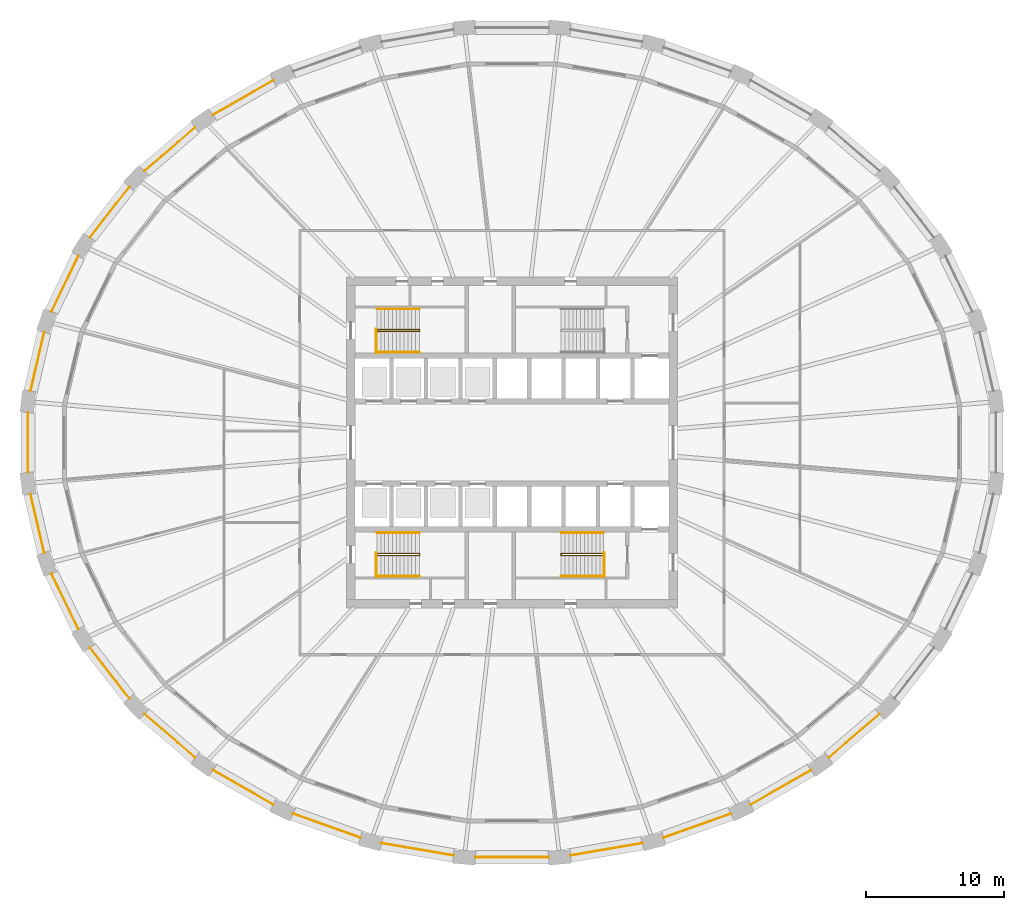
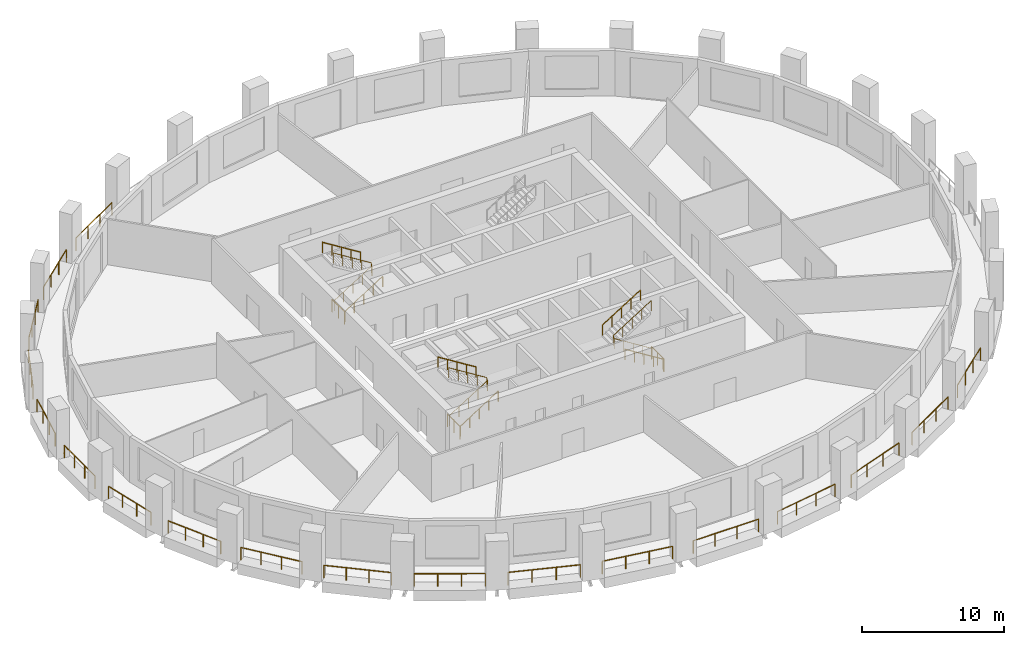
# One storey, part 8 of 10: 30 railings.
"""IFC4 building model written with IfcOpenShell, lengths in metres."""

from ifc_helpers import new_model, si_unit, direction, frame, origin, origin_2d, place, context, subcontext, project, spatial, circle, extrude, material, type_object, element, save


model = new_model("IFC4")

# Units and contexts
model_context = context("Model", 3, precision=1e-05, world=origin(), true_north=direction((0.0, 1.0)))
body_context = subcontext(model_context, "Body", "Model", "MODEL_VIEW")
ifc_project = project(units=[si_unit("LENGTHUNIT", "METRE"), si_unit("AREAUNIT", "SQUARE_METRE"), si_unit("VOLUMEUNIT", "CUBIC_METRE"), si_unit("PLANEANGLEUNIT", "RADIAN"), si_unit("MASSUNIT", "GRAM", prefix="KILO")], contexts=[model_context])

# Site, building, storey
site_placement = place(None, origin())
site = spatial("IfcSite", under=ifc_project, at=site_placement, CompositionType="ELEMENT")
building_placement = place(site_placement, origin())
building = spatial("IfcBuilding", under=site, at=building_placement, Name="Halqa Exchange Tower", CompositionType="ELEMENT")
storey_placement = place(building_placement, frame((0.0, 0.0, 104.5)))
storey = spatial("IfcBuildingStorey", under=building, at=storey_placement, Name="L23", CompositionType="ELEMENT", Elevation=104.5)

# Railings
ifc_material = material(Name="Stainless steel", Category="steel")
railing_type_1 = type_object("IfcRailingType", Name="Guard 1100 stainless steel", PredefinedType="GUARDRAIL", material=ifc_material)
railing_1_placement = place(storey_placement, frame((-17.32958984375, 26.27880859375, 0.0)))
element("IfcRailing", 1, at=railing_1_placement, inside=storey, type_object=railing_type_1, Name="Loggia guard 11", PredefinedType="GUARDRAIL", context=body_context, shape_type="SweptSolid", body=[
    extrude(circle(Radius=0.02392578125, at=origin_2d()), frame((0.0, 0.0, 1.076171875), z_axis=(-0.867764691491, -0.496975291339, 0.0), x_axis=(0.496975291339, -0.867764691491, 0.0)), (0.0, 0.0, 1.0), 5.028564453125),
    extrude(circle(Radius=0.02099609375, at=origin_2d()), origin(), (0.0, 0.0, 1.0), 1.052001953125),
    extrude(circle(Radius=0.02099609375, at=origin_2d()), frame((-1.45458984375, -0.8330078125, 0.0)), (0.0, 0.0, 1.0), 1.052001953125),
    extrude(circle(Radius=0.02099609375, at=origin_2d()), frame((-2.908935546875, -1.666015625, 0.0)), (0.0, 0.0, 1.0), 1.052001953125),
    extrude(circle(Radius=0.02099609375, at=origin_2d()), frame((-4.363525390625, -2.4990234375, 0.0)), (0.0, 0.0, 1.0), 1.052001953125),
])
railing_2_placement = place(storey_placement, frame((-22.994873046875, 22.861572265625, 0.0)))
element("IfcRailing", 2, at=railing_2_placement, inside=storey, type_object=railing_type_1, Name="Loggia guard 12", PredefinedType="GUARDRAIL", context=body_context, shape_type="SweptSolid", body=[
    extrude(circle(Radius=0.02392578125, at=origin_2d()), frame((0.0, 0.0, 1.076171875), z_axis=(-0.759242368447, -0.650807979327, 0.0), x_axis=(0.650807979327, -0.759242368447, 0.0)), (0.0, 0.0, 1.0), 4.843017578125),
    extrude(circle(Radius=0.02099609375, at=origin_2d()), origin(), (0.0, 0.0, 1.0), 1.052001953125),
    extrude(circle(Radius=0.02099609375, at=origin_2d()), frame((-1.2255859375, -1.050537109375, 0.0)), (0.0, 0.0, 1.0), 1.052001953125),
    extrude(circle(Radius=0.02099609375, at=origin_2d()), frame((-2.451416015625, -2.101318359375, 0.0)), (0.0, 0.0, 1.0), 1.052001953125),
    extrude(circle(Radius=0.02099609375, at=origin_2d()), frame((-3.677001953125, -3.15185546875, 0.0)), (0.0, 0.0, 1.0), 1.052001953125),
])
railing_3_placement = place(storey_placement, frame((-27.77099609375, 18.558349609375, 0.0)))
element("IfcRailing", 3, at=railing_3_placement, inside=storey, type_object=railing_type_1, Name="Loggia guard 13", PredefinedType="GUARDRAIL", context=body_context, shape_type="SweptSolid", body=[
    extrude(circle(Radius=0.02392578125, at=origin_2d()), frame((0.0, 0.0, 1.076171875), z_axis=(-0.614826844316, -0.788662127599, 0.0), x_axis=(0.788662127599, -0.614826844316, 0.0)), (0.0, 0.0, 1.0), 4.651611328125),
    extrude(circle(Radius=0.02099609375, at=origin_2d()), origin(), (0.0, 0.0, 1.0), 1.052001953125),
    extrude(circle(Radius=0.02099609375, at=origin_2d()), frame((-0.953369140625, -1.222900390625, 0.0)), (0.0, 0.0, 1.0), 1.052001953125),
    extrude(circle(Radius=0.02099609375, at=origin_2d()), frame((-1.906494140625, -2.445556640625, 0.0)), (0.0, 0.0, 1.0), 1.052001953125),
    extrude(circle(Radius=0.02099609375, at=origin_2d()), frame((-2.85986328125, -3.66845703125, 0.0)), (0.0, 0.0, 1.0), 1.052001953125),
])
railing_4_placement = place(storey_placement, frame((-31.470703125, 13.53857421875, 0.0)))
element("IfcRailing", 4, at=railing_4_placement, inside=storey, type_object=railing_type_1, Name="Loggia guard 14", PredefinedType="GUARDRAIL", context=body_context, shape_type="SweptSolid", body=[
    extrude(circle(Radius=0.02392578125, at=origin_2d()), frame((0.0, 0.0, 1.076171875), z_axis=(-0.435108344434, -0.900378103134, 0.0), x_axis=(0.900378103134, -0.435108344434, 0.0)), (0.0, 0.0, 1.0), 4.484375),
    extrude(circle(Radius=0.02099609375, at=origin_2d()), origin(), (0.0, 0.0, 1.0), 1.052001953125),
    extrude(circle(Radius=0.02099609375, at=origin_2d()), frame((-0.650390625, -1.345947265625, 0.0)), (0.0, 0.0, 1.0), 1.052001953125),
    extrude(circle(Radius=0.02099609375, at=origin_2d()), frame((-1.30078125, -2.691650390625, 0.0)), (0.0, 0.0, 1.0), 1.052001953125),
    extrude(circle(Radius=0.02099609375, at=origin_2d()), frame((-1.951171875, -4.03759765625, 0.0)), (0.0, 0.0, 1.0), 1.052001953125),
])
railing_5_placement = place(storey_placement, frame((-33.95068359375, 8.001220703125, 0.0)))
element("IfcRailing", 5, at=railing_5_placement, inside=storey, type_object=railing_type_1, Name="Loggia guard 15", PredefinedType="GUARDRAIL", context=body_context, shape_type="SweptSolid", body=[
    extrude(circle(Radius=0.02392578125, at=origin_2d()), frame((0.0, 0.0, 1.076171875), z_axis=(-0.226083325103, -0.974107966352, 0.0), x_axis=(0.974107966352, -0.226083325103, 0.0)), (0.0, 0.0, 1.0), 4.3701171875),
    extrude(circle(Radius=0.02099609375, at=origin_2d()), origin(), (0.0, 0.0, 1.0), 1.052001953125),
    extrude(circle(Radius=0.02099609375, at=origin_2d()), frame((-0.329345703125, -1.4189453125, 0.0)), (0.0, 0.0, 1.0), 1.052001953125),
    extrude(circle(Radius=0.02099609375, at=origin_2d()), frame((-0.65869140625, -2.838134765625, 0.0)), (0.0, 0.0, 1.0), 1.052001953125),
    extrude(circle(Radius=0.02099609375, at=origin_2d()), frame((-0.988037109375, -4.257080078125, 0.0)), (0.0, 0.0, 1.0), 1.052001953125),
])
railing_6_placement = place(storey_placement, frame((-35.11962890625, 2.164794921875, 0.0)))
element("IfcRailing", 6, at=railing_6_placement, inside=storey, type_object=railing_type_1, Name="Loggia guard 16", PredefinedType="GUARDRAIL", context=body_context, shape_type="SweptSolid", body=[
    extrude(circle(Radius=0.02392578125, at=origin_2d()), frame((0.0, 0.0, 1.076171875), z_axis=(0.0, -1.0, 0.0), x_axis=(1.0, 0.0, 0.0)), (0.0, 0.0, 1.0), 4.32958984375),
    extrude(circle(Radius=0.02099609375, at=origin_2d()), origin(), (0.0, 0.0, 1.0), 1.052001953125),
    extrude(circle(Radius=0.02099609375, at=origin_2d()), frame((0.0, -1.443115234375, 0.0)), (0.0, 0.0, 1.0), 1.052001953125),
    extrude(circle(Radius=0.02099609375, at=origin_2d()), frame((0.0, -2.886474609375, 0.0)), (0.0, 0.0, 1.0), 1.052001953125),
    extrude(circle(Radius=0.02099609375, at=origin_2d()), frame((0.0, -4.32958984375, 0.0)), (0.0, 0.0, 1.0), 1.052001953125),
])
railing_7_placement = place(storey_placement, frame((-34.938720703125, -3.744140625, 0.0)))
element("IfcRailing", 7, at=railing_7_placement, inside=storey, type_object=railing_type_1, Name="Loggia guard 17", PredefinedType="GUARDRAIL", context=body_context, shape_type="SweptSolid", body=[
    extrude(circle(Radius=0.02392578125, at=origin_2d()), frame((0.0, 0.0, 1.076171875), z_axis=(0.226083325103, -0.974107966352, 0.0), x_axis=(0.974107966352, 0.226083325103, 0.0)), (0.0, 0.0, 1.0), 4.3701171875),
    extrude(circle(Radius=0.02099609375, at=origin_2d()), origin(), (0.0, 0.0, 1.0), 1.052001953125),
    extrude(circle(Radius=0.02099609375, at=origin_2d()), frame((0.329345703125, -1.4189453125, 0.0)), (0.0, 0.0, 1.0), 1.052001953125),
    extrude(circle(Radius=0.02099609375, at=origin_2d()), frame((0.65869140625, -2.838134765625, 0.0)), (0.0, 0.0, 1.0), 1.052001953125),
    extrude(circle(Radius=0.02099609375, at=origin_2d()), frame((0.988037109375, -4.257080078125, 0.0)), (0.0, 0.0, 1.0), 1.052001953125),
])
railing_8_placement = place(storey_placement, frame((-33.421875, -9.5009765625, 0.0)))
element("IfcRailing", 8, at=railing_8_placement, inside=storey, type_object=railing_type_1, Name="Loggia guard 18", PredefinedType="GUARDRAIL", context=body_context, shape_type="SweptSolid", body=[
    extrude(circle(Radius=0.02392578125, at=origin_2d()), frame((0.0, 0.0, 1.076171875), z_axis=(0.435108344434, -0.900378103134, 0.0), x_axis=(0.900378103134, 0.435108344434, 0.0)), (0.0, 0.0, 1.0), 4.484375),
    extrude(circle(Radius=0.02099609375, at=origin_2d()), origin(), (0.0, 0.0, 1.0), 1.052001953125),
    extrude(circle(Radius=0.02099609375, at=origin_2d()), frame((0.650390625, -1.345947265625, 0.0)), (0.0, 0.0, 1.0), 1.052001953125),
    extrude(circle(Radius=0.02099609375, at=origin_2d()), frame((1.30078125, -2.691650390625, 0.0)), (0.0, 0.0, 1.0), 1.052001953125),
    extrude(circle(Radius=0.02099609375, at=origin_2d()), frame((1.951171875, -4.03759765625, 0.0)), (0.0, 0.0, 1.0), 1.052001953125),
])
railing_9_placement = place(storey_placement, frame((-30.630859375, -14.889892578125, 0.0)))
element("IfcRailing", 9, at=railing_9_placement, inside=storey, type_object=railing_type_1, Name="Loggia guard 19", PredefinedType="GUARDRAIL", context=body_context, shape_type="SweptSolid", body=[
    extrude(circle(Radius=0.02392578125, at=origin_2d()), frame((0.0, 0.0, 1.076171875), z_axis=(0.614826844316, -0.788662127599, 0.0), x_axis=(0.788662127599, 0.614826844316, 0.0)), (0.0, 0.0, 1.0), 4.651611328125),
    extrude(circle(Radius=0.02099609375, at=origin_2d()), origin(), (0.0, 0.0, 1.0), 1.052001953125),
    extrude(circle(Radius=0.02099609375, at=origin_2d()), frame((0.953369140625, -1.222900390625, 0.0)), (0.0, 0.0, 1.0), 1.052001953125),
    extrude(circle(Radius=0.02099609375, at=origin_2d()), frame((1.906494140625, -2.445556640625, 0.0)), (0.0, 0.0, 1.0), 1.052001953125),
    extrude(circle(Radius=0.02099609375, at=origin_2d()), frame((2.85986328125, -3.66845703125, 0.0)), (0.0, 0.0, 1.0), 1.052001953125),
])
railing_10_placement = place(storey_placement, frame((-26.671875, -19.709716796875, 0.0)))
element("IfcRailing", 10, at=railing_10_placement, inside=storey, type_object=railing_type_1, Name="Loggia guard 20", PredefinedType="GUARDRAIL", context=body_context, shape_type="SweptSolid", body=[
    extrude(circle(Radius=0.02392578125, at=origin_2d()), frame((0.0, 0.0, 1.076171875), z_axis=(0.759242368447, -0.650807979327, 0.0), x_axis=(0.650807979327, 0.759242368447, 0.0)), (0.0, 0.0, 1.0), 4.843017578125),
    extrude(circle(Radius=0.02099609375, at=origin_2d()), origin(), (0.0, 0.0, 1.0), 1.052001953125),
    extrude(circle(Radius=0.02099609375, at=origin_2d()), frame((1.2255859375, -1.050537109375, 0.0)), (0.0, 0.0, 1.0), 1.052001953125),
    extrude(circle(Radius=0.02099609375, at=origin_2d()), frame((2.451416015625, -2.101318359375, 0.0)), (0.0, 0.0, 1.0), 1.052001953125),
    extrude(circle(Radius=0.02099609375, at=origin_2d()), frame((3.677001953125, -3.15185546875, 0.0)), (0.0, 0.0, 1.0), 1.052001953125),
])
railing_11_placement = place(storey_placement, frame((-21.693115234375, -23.77978515625, 0.0)))
element("IfcRailing", 11, at=railing_11_placement, inside=storey, type_object=railing_type_1, Name="Loggia guard 21", PredefinedType="GUARDRAIL", context=body_context, shape_type="SweptSolid", body=[
    extrude(circle(Radius=0.02392578125, at=origin_2d()), frame((0.0, 0.0, 1.076171875), z_axis=(0.867764691491, -0.496975291339, 0.0), x_axis=(0.496975291339, 0.867764691491, 0.0)), (0.0, 0.0, 1.0), 5.028564453125),
    extrude(circle(Radius=0.02099609375, at=origin_2d()), origin(), (0.0, 0.0, 1.0), 1.052001953125),
    extrude(circle(Radius=0.02099609375, at=origin_2d()), frame((1.45458984375, -0.8330078125, 0.0)), (0.0, 0.0, 1.0), 1.052001953125),
    extrude(circle(Radius=0.02099609375, at=origin_2d()), frame((2.908935546875, -1.666015625, 0.0)), (0.0, 0.0, 1.0), 1.052001953125),
    extrude(circle(Radius=0.02099609375, at=origin_2d()), frame((4.363525390625, -2.4990234375, 0.0)), (0.0, 0.0, 1.0), 1.052001953125),
])
railing_12_placement = place(storey_placement, frame((-15.881591796875, -26.944091796875, 0.0)))
element("IfcRailing", 12, at=railing_12_placement, inside=storey, type_object=railing_type_1, Name="Loggia guard 22", PredefinedType="GUARDRAIL", context=body_context, shape_type="SweptSolid", body=[
    extrude(circle(Radius=0.02392578125, at=origin_2d()), frame((0.0, 0.0, 1.076171875), z_axis=(0.942371218472, -0.334569105858, 0.0), x_axis=(0.334569105858, 0.942371218472, 0.0)), (0.0, 0.0, 1.0), 5.182373046875),
    extrude(circle(Radius=0.02099609375, at=origin_2d()), origin(), (0.0, 0.0, 1.0), 1.052001953125),
    extrude(circle(Radius=0.02099609375, at=origin_2d()), frame((1.6279296875, -0.577880859375, 0.0)), (0.0, 0.0, 1.0), 1.052001953125),
    extrude(circle(Radius=0.02099609375, at=origin_2d()), frame((3.255859375, -1.156005859375, 0.0)), (0.0, 0.0, 1.0), 1.052001953125),
    extrude(circle(Radius=0.02099609375, at=origin_2d()), frame((4.8837890625, -1.73388671875, 0.0)), (0.0, 0.0, 1.0), 1.052001953125),
])
railing_13_placement = place(storey_placement, frame((-9.455322265625, -29.080078125, 0.0)))
element("IfcRailing", 13, at=railing_13_placement, inside=storey, type_object=railing_type_1, Name="Loggia guard 23", PredefinedType="GUARDRAIL", context=body_context, shape_type="SweptSolid", body=[
    extrude(circle(Radius=0.02392578125, at=origin_2d()), frame((0.0, 0.0, 1.076171875), z_axis=(0.985773799139, -0.168077413505, 0.0), x_axis=(0.168077413505, 0.985773799139, 0.0)), (0.0, 0.0, 1.0), 5.282958984375),
    extrude(circle(Radius=0.02099609375, at=origin_2d()), origin(), (0.0, 0.0, 1.0), 1.052001953125),
    extrude(circle(Radius=0.02099609375, at=origin_2d()), frame((1.73583984375, -0.2958984375, 0.0)), (0.0, 0.0, 1.0), 1.052001953125),
    extrude(circle(Radius=0.02099609375, at=origin_2d()), frame((3.471923828125, -0.592041015625, 0.0)), (0.0, 0.0, 1.0), 1.052001953125),
    extrude(circle(Radius=0.02099609375, at=origin_2d()), frame((5.207763671875, -0.887939453125, 0.0)), (0.0, 0.0, 1.0), 1.052001953125),
])
railing_14_placement = place(storey_placement, frame((-2.658935546875, -30.102294921875, 0.0)))
element("IfcRailing", 14, at=railing_14_placement, inside=storey, type_object=railing_type_1, Name="Loggia guard 24", PredefinedType="GUARDRAIL", context=body_context, shape_type="SweptSolid", body=[
    extrude(circle(Radius=0.02392578125, at=origin_2d()), frame((0.0, 0.0, 1.076171875), z_axis=(1.0, 0.0, 0.0), x_axis=(0.0, 1.0, 0.0)), (0.0, 0.0, 1.0), 5.31787109375),
    extrude(circle(Radius=0.02099609375, at=origin_2d()), origin(), (0.0, 0.0, 1.0), 1.052001953125),
    extrude(circle(Radius=0.02099609375, at=origin_2d()), frame((1.772705078125, 0.0, 0.0)), (0.0, 0.0, 1.0), 1.052001953125),
    extrude(circle(Radius=0.02099609375, at=origin_2d()), frame((3.545166015625, 0.0, 0.0)), (0.0, 0.0, 1.0), 1.052001953125),
    extrude(circle(Radius=0.02099609375, at=origin_2d()), frame((5.31787109375, 0.0, 0.0)), (0.0, 0.0, 1.0), 1.052001953125),
])
railing_15_placement = place(storey_placement, frame((4.24755859375, -29.968017578125, 0.0)))
element("IfcRailing", 15, at=railing_15_placement, inside=storey, type_object=railing_type_1, Name="Loggia guard 25", PredefinedType="GUARDRAIL", context=body_context, shape_type="SweptSolid", body=[
    extrude(circle(Radius=0.02392578125, at=origin_2d()), frame((0.0, 0.0, 1.076171875), z_axis=(0.985773799139, 0.168077413505, 0.0), x_axis=(-0.168077413505, 0.985773799139, 0.0)), (0.0, 0.0, 1.0), 5.282958984375),
    extrude(circle(Radius=0.02099609375, at=origin_2d()), origin(), (0.0, 0.0, 1.0), 1.052001953125),
    extrude(circle(Radius=0.02099609375, at=origin_2d()), frame((1.73583984375, 0.2958984375, 0.0)), (0.0, 0.0, 1.0), 1.052001953125),
    extrude(circle(Radius=0.02099609375, at=origin_2d()), frame((3.471923828125, 0.592041015625, 0.0)), (0.0, 0.0, 1.0), 1.052001953125),
    extrude(circle(Radius=0.02099609375, at=origin_2d()), frame((5.207763671875, 0.887939453125, 0.0)), (0.0, 0.0, 1.0), 1.052001953125),
])
railing_16_placement = place(storey_placement, frame((10.997802734375, -28.677978515625, 0.0)))
element("IfcRailing", 16, at=railing_16_placement, inside=storey, type_object=railing_type_1, Name="Loggia guard 26", PredefinedType="GUARDRAIL", context=body_context, shape_type="SweptSolid", body=[
    extrude(circle(Radius=0.02392578125, at=origin_2d()), frame((0.0, 0.0, 1.076171875), z_axis=(0.942371218472, 0.334569105858, 0.0), x_axis=(-0.334569105858, 0.942371218472, 0.0)), (0.0, 0.0, 1.0), 5.182373046875),
    extrude(circle(Radius=0.02099609375, at=origin_2d()), origin(), (0.0, 0.0, 1.0), 1.052001953125),
    extrude(circle(Radius=0.02099609375, at=origin_2d()), frame((1.6279296875, 0.577880859375, 0.0)), (0.0, 0.0, 1.0), 1.052001953125),
    extrude(circle(Radius=0.02099609375, at=origin_2d()), frame((3.255859375, 1.156005859375, 0.0)), (0.0, 0.0, 1.0), 1.052001953125),
    extrude(circle(Radius=0.02099609375, at=origin_2d()), frame((4.8837890625, 1.73388671875, 0.0)), (0.0, 0.0, 1.0), 1.052001953125),
])
railing_17_placement = place(storey_placement, frame((17.32958984375, -26.27880859375, 0.0)))
element("IfcRailing", 17, at=railing_17_placement, inside=storey, type_object=railing_type_1, Name="Loggia guard 27", PredefinedType="GUARDRAIL", context=body_context, shape_type="SweptSolid", body=[
    extrude(circle(Radius=0.02392578125, at=origin_2d()), frame((0.0, 0.0, 1.076171875), z_axis=(0.867764691491, 0.496975291339, 0.0), x_axis=(-0.496975291339, 0.867764691491, 0.0)), (0.0, 0.0, 1.0), 5.028564453125),
    extrude(circle(Radius=0.02099609375, at=origin_2d()), origin(), (0.0, 0.0, 1.0), 1.052001953125),
    extrude(circle(Radius=0.02099609375, at=origin_2d()), frame((1.45458984375, 0.8330078125, 0.0)), (0.0, 0.0, 1.0), 1.052001953125),
    extrude(circle(Radius=0.02099609375, at=origin_2d()), frame((2.908935546875, 1.666015625, 0.0)), (0.0, 0.0, 1.0), 1.052001953125),
    extrude(circle(Radius=0.02099609375, at=origin_2d()), frame((4.363525390625, 2.4990234375, 0.0)), (0.0, 0.0, 1.0), 1.052001953125),
])
railing_18_placement = place(storey_placement, frame((22.994873046875, -22.861572265625, 0.0)))
element("IfcRailing", 18, at=railing_18_placement, inside=storey, type_object=railing_type_1, Name="Loggia guard 28", PredefinedType="GUARDRAIL", context=body_context, shape_type="SweptSolid", body=[
    extrude(circle(Radius=0.02392578125, at=origin_2d()), frame((0.0, 0.0, 1.076171875), z_axis=(0.759242368447, 0.650807979327, 0.0), x_axis=(-0.650807979327, 0.759242368447, 0.0)), (0.0, 0.0, 1.0), 4.843017578125),
    extrude(circle(Radius=0.02099609375, at=origin_2d()), origin(), (0.0, 0.0, 1.0), 1.052001953125),
    extrude(circle(Radius=0.02099609375, at=origin_2d()), frame((1.2255859375, 1.050537109375, 0.0)), (0.0, 0.0, 1.0), 1.052001953125),
    extrude(circle(Radius=0.02099609375, at=origin_2d()), frame((2.451416015625, 2.101318359375, 0.0)), (0.0, 0.0, 1.0), 1.052001953125),
    extrude(circle(Radius=0.02099609375, at=origin_2d()), frame((3.677001953125, 3.15185546875, 0.0)), (0.0, 0.0, 1.0), 1.052001953125),
])
railing_type_2 = type_object("IfcRailingType", Name="Stair handrail 900", PredefinedType="HANDRAIL", material=ifc_material)
railing_19_placement = place(storey_placement, frame((-9.800048828125, 8.06005859375, 0.175048828125)))
element("IfcRailing", 19, at=railing_19_placement, inside=storey, type_object=railing_type_2, Name="Handrail ST1.1", PredefinedType="HANDRAIL", context=body_context, shape_type="SweptSolid", body=[
    extrude(circle(Radius=0.02392578125, at=origin_2d()), frame((0.0, 0.0, 0.8759765625), z_axis=(0.847998304005, 0.0, 0.529998940003), x_axis=(0.0, 1.0, 0.0)), (0.0, 0.0, 1.0), 3.632080078125),
    extrude(circle(Radius=0.02392578125, at=origin_2d()), frame((3.080078125, 0.0, 2.80078125), z_axis=(0.0, 0.596406559517, 0.802682512433), x_axis=(-1.0, 0.0, 0.0)), (0.0, 0.0, 1.0), 0.2177734375),
    extrude(circle(Radius=0.02392578125, at=origin_2d()), frame((3.080078125, 0.1298828125, 2.9755859375), z_axis=(-0.847998304005, 0.0, 0.529998940003), x_axis=(0.0, -1.0, 0.0)), (0.0, 0.0, 1.0), 3.632080078125),
    extrude(circle(Radius=0.02099609375, at=origin_2d()), origin(), (0.0, 0.0, 1.0), 0.851806640625),
    extrude(circle(Radius=0.02099609375, at=origin_2d()), frame((0.77001953125, 0.0, 0.481201171875)), (0.0, 0.0, 1.0), 0.851806640625),
    extrude(circle(Radius=0.02099609375, at=origin_2d()), frame((1.5400390625, 0.0, 0.96240234375)), (0.0, 0.0, 1.0), 0.851806640625),
    extrude(circle(Radius=0.02099609375, at=origin_2d()), frame((2.31005859375, 0.0, 1.44384765625)), (0.0, 0.0, 1.0), 0.851806640625),
    extrude(circle(Radius=0.02099609375, at=origin_2d()), frame((3.080078125, 0.0, 1.925048828125)), (0.0, 0.0, 1.0), 0.851806640625),
    extrude(circle(Radius=0.02099609375, at=origin_2d()), frame((3.080078125, 0.1298828125, 2.099853515625)), (0.0, 0.0, 1.0), 0.851806640625),
    extrude(circle(Radius=0.02099609375, at=origin_2d()), frame((2.31005859375, 0.1298828125, 2.5810546875)), (0.0, 0.0, 1.0), 0.851806640625),
    extrude(circle(Radius=0.02099609375, at=origin_2d()), frame((1.5400390625, 0.1298828125, 3.0625)), (0.0, 0.0, 1.0), 0.851806640625),
    extrude(circle(Radius=0.02099609375, at=origin_2d()), frame((0.77001953125, 0.1298828125, 3.543701171875)), (0.0, 0.0, 1.0), 0.851806640625),
    extrude(circle(Radius=0.02099609375, at=origin_2d()), frame((0.0, 0.1298828125, 4.02490234375)), (0.0, 0.0, 1.0), 0.851806640625),
])
railing_20_placement = place(storey_placement, frame((-9.800048828125, 6.550048828125, 0.175048828125)))
element("IfcRailing", 20, at=railing_20_placement, inside=storey, type_object=railing_type_2, Name="Handrail ST1.2", PredefinedType="HANDRAIL", context=body_context, shape_type="SweptSolid", body=[
    extrude(circle(Radius=0.02392578125, at=origin_2d()), frame((0.0, 0.0, 0.8759765625), z_axis=(0.847998304005, 0.0, 0.529998940003), x_axis=(0.0, 1.0, 0.0)), (0.0, 0.0, 1.0), 3.632080078125),
    extrude(circle(Radius=0.02099609375, at=origin_2d()), origin(), (0.0, 0.0, 1.0), 0.851806640625),
    extrude(circle(Radius=0.02099609375, at=origin_2d()), frame((0.77001953125, 0.0, 0.481201171875)), (0.0, 0.0, 1.0), 0.851806640625),
    extrude(circle(Radius=0.02099609375, at=origin_2d()), frame((1.5400390625, 0.0, 0.96240234375)), (0.0, 0.0, 1.0), 0.851806640625),
    extrude(circle(Radius=0.02099609375, at=origin_2d()), frame((2.31005859375, 0.0, 1.44384765625)), (0.0, 0.0, 1.0), 0.851806640625),
    extrude(circle(Radius=0.02099609375, at=origin_2d()), frame((3.080078125, 0.0, 1.925048828125)), (0.0, 0.0, 1.0), 0.851806640625),
])
railing_21_placement = place(storey_placement, frame((-6.719970703125, 9.699951171875, 2.27490234375)))
element("IfcRailing", 21, at=railing_21_placement, inside=storey, type_object=railing_type_2, Name="Handrail ST1.3", PredefinedType="HANDRAIL", context=body_context, shape_type="SweptSolid", body=[
    extrude(circle(Radius=0.02392578125, at=origin_2d()), frame((0.0, 0.0, 0.8759765625), z_axis=(-0.847998304005, 0.0, 0.529998940003), x_axis=(0.0, -1.0, 0.0)), (0.0, 0.0, 1.0), 3.632080078125),
    extrude(circle(Radius=0.02099609375, at=origin_2d()), origin(), (0.0, 0.0, 1.0), 0.851806640625),
    extrude(circle(Radius=0.02099609375, at=origin_2d()), frame((-0.77001953125, 0.0, 0.481201171875)), (0.0, 0.0, 1.0), 0.851806640625),
    extrude(circle(Radius=0.02099609375, at=origin_2d()), frame((-1.5400390625, 0.0, 0.96240234375)), (0.0, 0.0, 1.0), 0.851806640625),
    extrude(circle(Radius=0.02099609375, at=origin_2d()), frame((-2.31005859375, 0.0, 1.44384765625)), (0.0, 0.0, 1.0), 0.851806640625),
    extrude(circle(Radius=0.02099609375, at=origin_2d()), frame((-3.080078125, 0.0, 1.925048828125)), (0.0, 0.0, 1.0), 0.851806640625),
])
railing_22_placement = place(storey_placement, frame((-9.800048828125, -8.18994140625, 0.175048828125)))
element("IfcRailing", 22, at=railing_22_placement, inside=storey, type_object=railing_type_2, Name="Handrail ST3.1", PredefinedType="HANDRAIL", context=body_context, shape_type="SweptSolid", body=[
    extrude(circle(Radius=0.02392578125, at=origin_2d()), frame((0.0, 0.0, 0.8759765625), z_axis=(0.847998304005, 0.0, 0.529998940003), x_axis=(0.0, 1.0, 0.0)), (0.0, 0.0, 1.0), 3.632080078125),
    extrude(circle(Radius=0.02392578125, at=origin_2d()), frame((3.080078125, 0.0, 2.80078125), z_axis=(0.0, 0.596406559517, 0.802682512433), x_axis=(-1.0, 0.0, 0.0)), (0.0, 0.0, 1.0), 0.2177734375),
    extrude(circle(Radius=0.02392578125, at=origin_2d()), frame((3.080078125, 0.1298828125, 2.9755859375), z_axis=(-0.847998304005, 0.0, 0.529998940003), x_axis=(0.0, -1.0, 0.0)), (0.0, 0.0, 1.0), 3.632080078125),
    extrude(circle(Radius=0.02099609375, at=origin_2d()), origin(), (0.0, 0.0, 1.0), 0.851806640625),
    extrude(circle(Radius=0.02099609375, at=origin_2d()), frame((0.77001953125, 0.0, 0.481201171875)), (0.0, 0.0, 1.0), 0.851806640625),
    extrude(circle(Radius=0.02099609375, at=origin_2d()), frame((1.5400390625, 0.0, 0.96240234375)), (0.0, 0.0, 1.0), 0.851806640625),
    extrude(circle(Radius=0.02099609375, at=origin_2d()), frame((2.31005859375, 0.0, 1.44384765625)), (0.0, 0.0, 1.0), 0.851806640625),
    extrude(circle(Radius=0.02099609375, at=origin_2d()), frame((3.080078125, 0.0, 1.925048828125)), (0.0, 0.0, 1.0), 0.851806640625),
    extrude(circle(Radius=0.02099609375, at=origin_2d()), frame((3.080078125, 0.1298828125, 2.099853515625)), (0.0, 0.0, 1.0), 0.851806640625),
    extrude(circle(Radius=0.02099609375, at=origin_2d()), frame((2.31005859375, 0.1298828125, 2.5810546875)), (0.0, 0.0, 1.0), 0.851806640625),
    extrude(circle(Radius=0.02099609375, at=origin_2d()), frame((1.5400390625, 0.1298828125, 3.0625)), (0.0, 0.0, 1.0), 0.851806640625),
    extrude(circle(Radius=0.02099609375, at=origin_2d()), frame((0.77001953125, 0.1298828125, 3.543701171875)), (0.0, 0.0, 1.0), 0.851806640625),
    extrude(circle(Radius=0.02099609375, at=origin_2d()), frame((0.0, 0.1298828125, 4.02490234375)), (0.0, 0.0, 1.0), 0.851806640625),
])
railing_23_placement = place(storey_placement, frame((-9.800048828125, -9.699951171875, 0.175048828125)))
element("IfcRailing", 23, at=railing_23_placement, inside=storey, type_object=railing_type_2, Name="Handrail ST3.2", PredefinedType="HANDRAIL", context=body_context, shape_type="SweptSolid", body=[
    extrude(circle(Radius=0.02392578125, at=origin_2d()), frame((0.0, 0.0, 0.8759765625), z_axis=(0.847998304005, 0.0, 0.529998940003), x_axis=(0.0, 1.0, 0.0)), (0.0, 0.0, 1.0), 3.632080078125),
    extrude(circle(Radius=0.02099609375, at=origin_2d()), origin(), (0.0, 0.0, 1.0), 0.851806640625),
    extrude(circle(Radius=0.02099609375, at=origin_2d()), frame((0.77001953125, 0.0, 0.481201171875)), (0.0, 0.0, 1.0), 0.851806640625),
    extrude(circle(Radius=0.02099609375, at=origin_2d()), frame((1.5400390625, 0.0, 0.96240234375)), (0.0, 0.0, 1.0), 0.851806640625),
    extrude(circle(Radius=0.02099609375, at=origin_2d()), frame((2.31005859375, 0.0, 1.44384765625)), (0.0, 0.0, 1.0), 0.851806640625),
    extrude(circle(Radius=0.02099609375, at=origin_2d()), frame((3.080078125, 0.0, 1.925048828125)), (0.0, 0.0, 1.0), 0.851806640625),
])
railing_24_placement = place(storey_placement, frame((-6.719970703125, -6.550048828125, 2.27490234375)))
element("IfcRailing", 24, at=railing_24_placement, inside=storey, type_object=railing_type_2, Name="Handrail ST3.3", PredefinedType="HANDRAIL", context=body_context, shape_type="SweptSolid", body=[
    extrude(circle(Radius=0.02392578125, at=origin_2d()), frame((0.0, 0.0, 0.8759765625), z_axis=(-0.847998304005, 0.0, 0.529998940003), x_axis=(0.0, -1.0, 0.0)), (0.0, 0.0, 1.0), 3.632080078125),
    extrude(circle(Radius=0.02099609375, at=origin_2d()), origin(), (0.0, 0.0, 1.0), 0.851806640625),
    extrude(circle(Radius=0.02099609375, at=origin_2d()), frame((-0.77001953125, 0.0, 0.481201171875)), (0.0, 0.0, 1.0), 0.851806640625),
    extrude(circle(Radius=0.02099609375, at=origin_2d()), frame((-1.5400390625, 0.0, 0.96240234375)), (0.0, 0.0, 1.0), 0.851806640625),
    extrude(circle(Radius=0.02099609375, at=origin_2d()), frame((-2.31005859375, 0.0, 1.44384765625)), (0.0, 0.0, 1.0), 0.851806640625),
    extrude(circle(Radius=0.02099609375, at=origin_2d()), frame((-3.080078125, 0.0, 1.925048828125)), (0.0, 0.0, 1.0), 0.851806640625),
])
railing_25_placement = place(storey_placement, frame((6.64990234375, -8.18994140625, 0.175048828125)))
element("IfcRailing", 25, at=railing_25_placement, inside=storey, type_object=railing_type_2, Name="Handrail ST4.1", PredefinedType="HANDRAIL", context=body_context, shape_type="SweptSolid", body=[
    extrude(circle(Radius=0.02392578125, at=origin_2d()), frame((0.0, 0.0, 0.8759765625), z_axis=(-0.847979421464, 0.0, 0.530029150871), x_axis=(0.0, -1.0, 0.0)), (0.0, 0.0, 1.0), 3.632080078125),
    extrude(circle(Radius=0.02392578125, at=origin_2d()), frame((-3.079833984375, 0.0, 2.80078125), z_axis=(0.0, 0.596406559517, 0.802682512433), x_axis=(-1.0, 0.0, 0.0)), (0.0, 0.0, 1.0), 0.2177734375),
    extrude(circle(Radius=0.02392578125, at=origin_2d()), frame((-3.079833984375, 0.1298828125, 2.9755859375), z_axis=(0.847979421464, 0.0, 0.530029150871), x_axis=(0.0, 1.0, 0.0)), (0.0, 0.0, 1.0), 3.632080078125),
    extrude(circle(Radius=0.02099609375, at=origin_2d()), origin(), (0.0, 0.0, 1.0), 0.851806640625),
    extrude(circle(Radius=0.02099609375, at=origin_2d()), frame((-0.77001953125, 0.0, 0.481201171875)), (0.0, 0.0, 1.0), 0.851806640625),
    extrude(circle(Radius=0.02099609375, at=origin_2d()), frame((-1.5400390625, 0.0, 0.96240234375)), (0.0, 0.0, 1.0), 0.851806640625),
    extrude(circle(Radius=0.02099609375, at=origin_2d()), frame((-2.309814453125, 0.0, 1.44384765625)), (0.0, 0.0, 1.0), 0.851806640625),
    extrude(circle(Radius=0.02099609375, at=origin_2d()), frame((-3.079833984375, 0.0, 1.925048828125)), (0.0, 0.0, 1.0), 0.851806640625),
    extrude(circle(Radius=0.02099609375, at=origin_2d()), frame((-3.079833984375, 0.1298828125, 2.099853515625)), (0.0, 0.0, 1.0), 0.851806640625),
    extrude(circle(Radius=0.02099609375, at=origin_2d()), frame((-2.309814453125, 0.1298828125, 2.5810546875)), (0.0, 0.0, 1.0), 0.851806640625),
    extrude(circle(Radius=0.02099609375, at=origin_2d()), frame((-1.5400390625, 0.1298828125, 3.0625)), (0.0, 0.0, 1.0), 0.851806640625),
    extrude(circle(Radius=0.02099609375, at=origin_2d()), frame((-0.77001953125, 0.1298828125, 3.543701171875)), (0.0, 0.0, 1.0), 0.851806640625),
    extrude(circle(Radius=0.02099609375, at=origin_2d()), frame((0.0, 0.1298828125, 4.02490234375)), (0.0, 0.0, 1.0), 0.851806640625),
])
railing_26_placement = place(storey_placement, frame((6.64990234375, -9.699951171875, 0.175048828125)))
element("IfcRailing", 26, at=railing_26_placement, inside=storey, type_object=railing_type_2, Name="Handrail ST4.2", PredefinedType="HANDRAIL", context=body_context, shape_type="SweptSolid", body=[
    extrude(circle(Radius=0.02392578125, at=origin_2d()), frame((0.0, 0.0, 0.8759765625), z_axis=(-0.847979421464, 0.0, 0.530029150871), x_axis=(0.0, -1.0, 0.0)), (0.0, 0.0, 1.0), 3.632080078125),
    extrude(circle(Radius=0.02099609375, at=origin_2d()), origin(), (0.0, 0.0, 1.0), 0.851806640625),
    extrude(circle(Radius=0.02099609375, at=origin_2d()), frame((-0.77001953125, 0.0, 0.481201171875)), (0.0, 0.0, 1.0), 0.851806640625),
    extrude(circle(Radius=0.02099609375, at=origin_2d()), frame((-1.5400390625, 0.0, 0.96240234375)), (0.0, 0.0, 1.0), 0.851806640625),
    extrude(circle(Radius=0.02099609375, at=origin_2d()), frame((-2.309814453125, 0.0, 1.44384765625)), (0.0, 0.0, 1.0), 0.851806640625),
    extrude(circle(Radius=0.02099609375, at=origin_2d()), frame((-3.079833984375, 0.0, 1.925048828125)), (0.0, 0.0, 1.0), 0.851806640625),
])
railing_27_placement = place(storey_placement, frame((3.570068359375, -6.550048828125, 2.27490234375)))
element("IfcRailing", 27, at=railing_27_placement, inside=storey, type_object=railing_type_2, Name="Handrail ST4.3", PredefinedType="HANDRAIL", context=body_context, shape_type="SweptSolid", body=[
    extrude(circle(Radius=0.02392578125, at=origin_2d()), frame((0.0, 0.0, 0.8759765625), z_axis=(0.847979421464, 0.0, 0.530029150871), x_axis=(0.0, 1.0, 0.0)), (0.0, 0.0, 1.0), 3.632080078125),
    extrude(circle(Radius=0.02099609375, at=origin_2d()), origin(), (0.0, 0.0, 1.0), 0.851806640625),
    extrude(circle(Radius=0.02099609375, at=origin_2d()), frame((0.77001953125, 0.0, 0.481201171875)), (0.0, 0.0, 1.0), 0.851806640625),
    extrude(circle(Radius=0.02099609375, at=origin_2d()), frame((1.5400390625, 0.0, 0.96240234375)), (0.0, 0.0, 1.0), 0.851806640625),
    extrude(circle(Radius=0.02099609375, at=origin_2d()), frame((2.309814453125, 0.0, 1.44384765625)), (0.0, 0.0, 1.0), 0.851806640625),
    extrude(circle(Radius=0.02099609375, at=origin_2d()), frame((3.079833984375, 0.0, 1.925048828125)), (0.0, 0.0, 1.0), 0.851806640625),
])
railing_type_3 = type_object("IfcRailingType", Name="Stair well guard 1100", PredefinedType="GUARDRAIL", material=ifc_material)
for number, where, name in (
    (28, (-9.85009765625, 6.5, 0.0), "Guard ST1 well"),
    (29, (-9.85009765625, -9.75, 0.0), "Guard ST3 well"),
    (30, (6.699951171875, -9.75, 0.0), "Guard ST4 well"),
):
    element("IfcRailing", number, at=place(storey_placement, frame(where)), inside=storey, type_object=railing_type_3, Name=name, PredefinedType="GUARDRAIL", context=body_context, shape_type="SweptSolid", body=[
        extrude(circle(Radius=0.02392578125, at=origin_2d()), frame((0.0, 0.0, 1.076171875), z_axis=(0.0, 1.0, 0.0), x_axis=(-1.0, 0.0, 0.0)), (0.0, 0.0, 1.0), 1.75),
        extrude(circle(Radius=0.02099609375, at=origin_2d()), origin(), (0.0, 0.0, 1.0), 1.052001953125),
        extrude(circle(Radius=0.02099609375, at=origin_2d()), frame((0.0, 0.875, 0.0)), (0.0, 0.0, 1.0), 1.052001953125),
        extrude(circle(Radius=0.02099609375, at=origin_2d()), frame((0.0, 1.75, 0.0)), (0.0, 0.0, 1.0), 1.052001953125),
    ])

save(model, "model.ifc")
